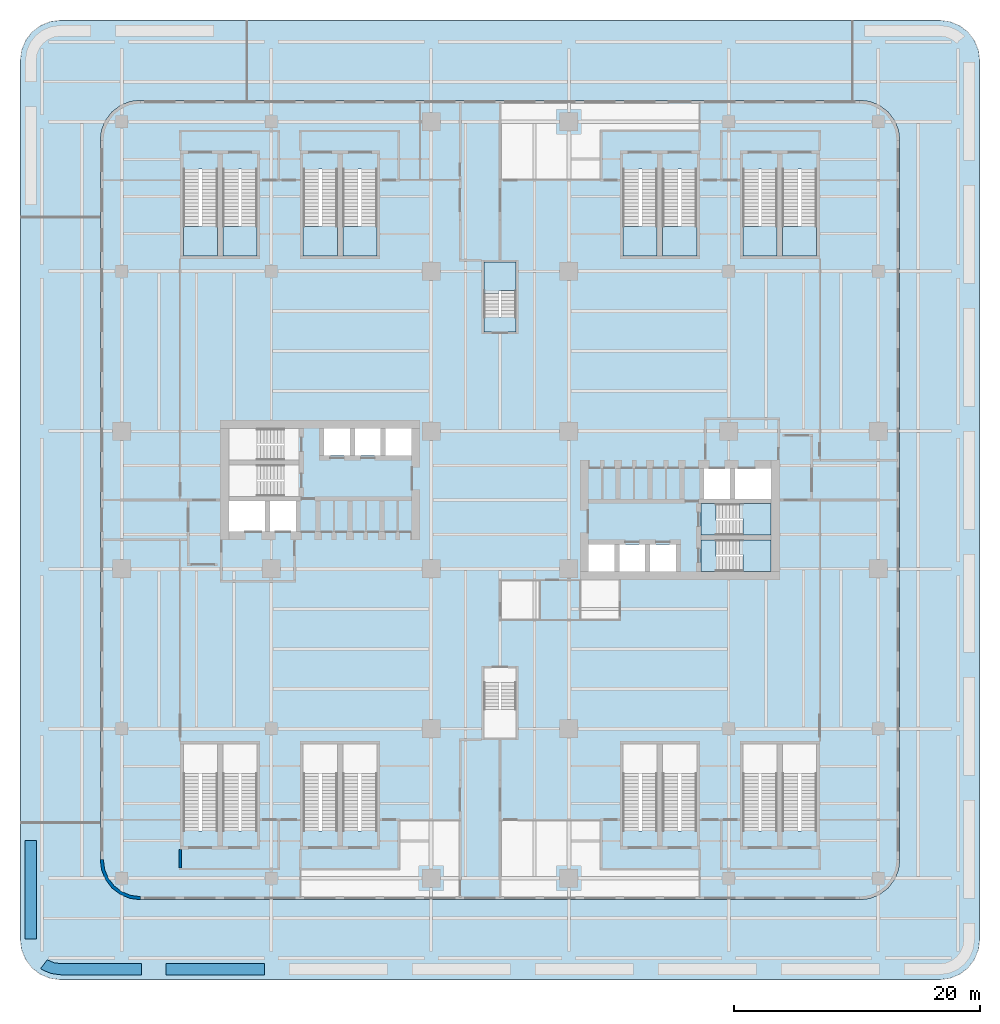
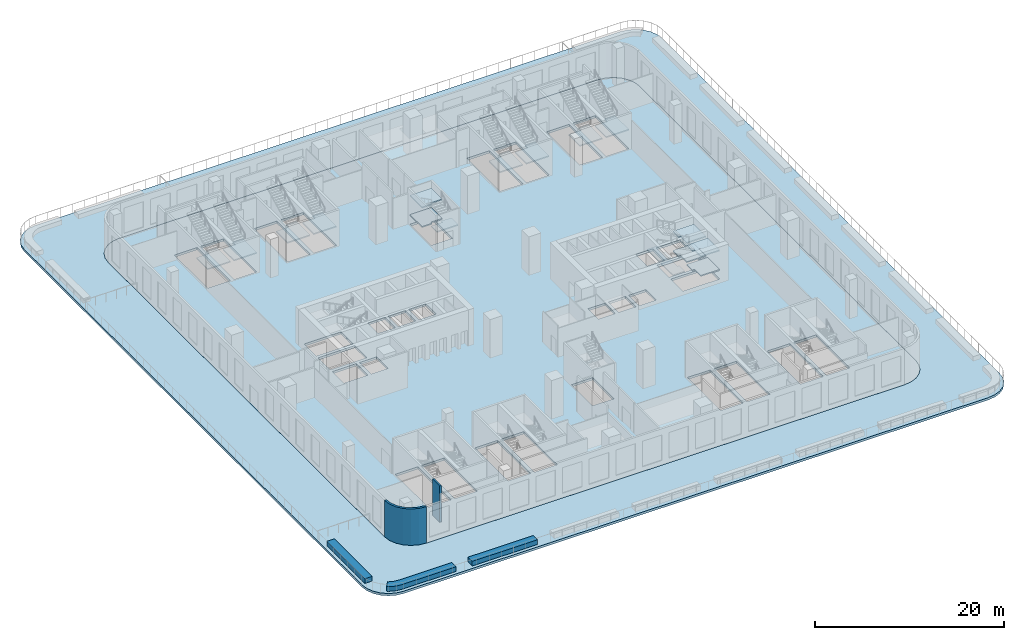
# One storey, part 4 of 17: 19 slabs, 5 walls, 11 elements without a shape of their own.
"""IFC4 building model written with IfcOpenShell, lengths in metres."""

from ifc_helpers import new_model, si_unit, direction, frame, frame_2d, origin, place, context, subcontext, project, spatial, polyline, rectangle, outline, extrude, source, transform, mapped, material, layer, layer_set, type_object, element, aggregate, save


model = new_model("IFC4")

# Units and contexts
model_context = context("Model", 3, precision=1e-05, world=origin(), true_north=direction((0.0, 1.0)))
body_context = subcontext(model_context, "Body", "Model", "MODEL_VIEW")
ifc_project = project(units=[si_unit("LENGTHUNIT", "METRE"), si_unit("AREAUNIT", "SQUARE_METRE"), si_unit("VOLUMEUNIT", "CUBIC_METRE"), si_unit("PLANEANGLEUNIT", "RADIAN"), si_unit("MASSUNIT", "GRAM", prefix="KILO")], contexts=[model_context])

# Site, building, storey
site_placement = place(None, origin())
site = spatial("IfcSite", under=ifc_project, at=site_placement, CompositionType="ELEMENT")
building_placement = place(site_placement, origin())
building = spatial("IfcBuilding", under=site, at=building_placement, Name="Trellis Farm Tower", CompositionType="ELEMENT")
storey_placement = place(building_placement, frame((0.0, 0.0, 24.0)))
storey = spatial("IfcBuildingStorey", under=building, at=storey_placement, Name="L04", CompositionType="ELEMENT", Elevation=24.0)

# Slabs
ifc_material_1 = material(Name="Concrete C40/50", Category="concrete")
ifc_layer_1 = layer(ifc_material_1, 0.300048828125)
ifc_layer_set_1 = layer_set([ifc_layer_1], Name="Terrace slab on composite deck 300")
slab_type_1 = type_object("IfcSlabType", Name="Terrace slab on composite deck 300", PredefinedType="FLOOR", material=ifc_layer_set_1)
placement_1 = place(storey_placement, frame((0.0, 0.0, -0.300048828125)))
element("IfcSlab", 1, at=placement_1, inside=storey, type_object=slab_type_1, Name="Terrace slab", PredefinedType="FLOOR", context=body_context, shape_type="SweptSolid", body=[
    extrude(outline(polyline([(38.5771484375, -37.344482421875), (38.54443359375, -37.401123046875), (38.068115234375, -38.02197265625), (38.02197265625, -38.068115234375), (37.401123046875, -38.54443359375), (37.344482421875, -38.5771484375), (36.62158203125, -38.876708984375), (36.55859375, -38.8935546875), (35.76611328125, -38.997802734375), (35.733642578125, -39.0), (-35.733642578125, -39.0), (-35.76611328125, -38.997802734375), (-36.55859375, -38.8935546875), (-36.62158203125, -38.876708984375), (-37.344482421875, -38.5771484375), (-37.401123046875, -38.54443359375), (-38.02197265625, -38.068115234375), (-38.068115234375, -38.02197265625), (-38.54443359375, -37.401123046875), (-38.5771484375, -37.344482421875), (-38.876708984375, -36.62158203125), (-38.8935546875, -36.55859375), (-38.997802734375, -35.76611328125), (-39.0, -35.733642578125), (-39.0, 35.733642578125), (-38.997802734375, 35.76611328125), (-38.8935546875, 36.55859375), (-38.876708984375, 36.62158203125), (-38.5771484375, 37.344482421875), (-38.54443359375, 37.401123046875), (-38.068115234375, 38.02197265625), (-38.02197265625, 38.068115234375), (-37.401123046875, 38.54443359375), (-37.344482421875, 38.5771484375), (-36.62158203125, 38.876708984375), (-36.55859375, 38.8935546875), (-35.76611328125, 38.997802734375), (-35.733642578125, 39.0), (35.733642578125, 39.0), (35.76611328125, 38.997802734375), (36.55859375, 38.8935546875), (36.62158203125, 38.876708984375), (37.344482421875, 38.5771484375), (37.401123046875, 38.54443359375), (38.02197265625, 38.068115234375), (38.068115234375, 38.02197265625), (38.54443359375, 37.401123046875), (38.5771484375, 37.344482421875), (38.876708984375, 36.62158203125), (38.8935546875, 36.55859375), (38.997802734375, 35.76611328125), (39.0, 35.733642578125), (39.0, -35.733642578125), (38.997802734375, -35.76611328125), (38.8935546875, -36.55859375), (38.876708984375, -36.62158203125), (38.5771484375, -37.344482421875)]), holes=[polyline([(32.389892578125, 30.09130859375), (32.065185546875, 30.875244140625), (31.548583984375, 31.548583984375), (30.875244140625, 32.065185546875), (30.09130859375, 32.389892578125), (29.25, 32.50048828125), (-29.25, 32.50048828125), (-30.09130859375, 32.389892578125), (-30.875244140625, 32.065185546875), (-31.548583984375, 31.548583984375), (-32.065185546875, 30.875244140625), (-32.389892578125, 30.09130859375), (-32.50048828125, 29.25), (-32.50048828125, -29.25), (-32.389892578125, -30.09130859375), (-32.065185546875, -30.875244140625), (-31.548583984375, -31.548583984375), (-30.875244140625, -32.065185546875), (-30.09130859375, -32.389892578125), (-29.25, -32.50048828125), (29.25, -32.50048828125), (30.09130859375, -32.389892578125), (30.875244140625, -32.065185546875), (31.548583984375, -31.548583984375), (32.065185546875, -30.875244140625), (32.389892578125, -30.09130859375), (32.50048828125, -29.25), (32.50048828125, 29.25), (32.389892578125, 30.09130859375)])]), origin(), (0.0, 0.0, 1.0), 0.300048828125),
])
ifc_layer_2 = layer(ifc_material_1, 0.300048828125)
ifc_layer_set_2 = layer_set([ifc_layer_2], Name="Composite deck floor slab 300")
slab_type_2 = type_object("IfcSlabType", Name="Composite deck floor slab 300", PredefinedType="FLOOR", material=ifc_layer_set_2)
shared_shape_1 = source(origin(), body_context, "Body", "SweptSolid", [
    extrude(outline(polyline([(32.389404296875, -30.09130859375), (32.064697265625, -30.875), (31.548095703125, -31.548095703125), (30.875, -32.064697265625), (30.09130859375, -32.389404296875), (29.25, -32.5), (-29.25, -32.5), (-30.09130859375, -32.389404296875), (-30.875, -32.064697265625), (-31.548095703125, -31.548095703125), (-32.064697265625, -30.875), (-32.389404296875, -30.09130859375), (-32.5, -29.25), (-32.5, 29.25), (-32.389404296875, 30.09130859375), (-32.064697265625, 30.875), (-31.548095703125, 31.548095703125), (-30.875, 32.064697265625), (-30.09130859375, 32.389404296875), (-29.25, 32.5), (29.25, 32.5), (30.09130859375, 32.389404296875), (30.875, 32.064697265625), (31.548095703125, 31.548095703125), (32.064697265625, 30.875), (32.389404296875, 30.09130859375), (32.5, 29.25), (32.5, -29.25), (32.389404296875, -30.09130859375)]), holes=[polyline([(-24.219970703125, -26.89990234375), (-24.219970703125, -26.887939453125), (-22.969970703125, -26.887939453125), (-22.969970703125, -19.85009765625), (-25.75, -19.85009765625), (-25.75, -26.889892578125), (-24.5, -26.889892578125), (-24.5, -26.89990234375), (-24.219970703125, -26.89990234375)]), polyline([(-21.0, -26.89990234375), (-21.0, -26.887939453125), (-19.75, -26.887939453125), (-19.75, -19.85009765625), (-22.530029296875, -19.85009765625), (-22.530029296875, -26.889892578125), (-21.280029296875, -26.889892578125), (-21.280029296875, -26.89990234375), (-21.0, -26.89990234375)]), polyline([(-14.469970703125, -26.89990234375), (-14.469970703125, -26.887939453125), (-13.219970703125, -26.887939453125), (-13.219970703125, -19.85009765625), (-16.0, -19.85009765625), (-16.0, -26.889892578125), (-14.75, -26.889892578125), (-14.75, -26.89990234375), (-14.469970703125, -26.89990234375)]), polyline([(-11.25, -26.89990234375), (-11.25, -26.887939453125), (-10.0, -26.887939453125), (-10.0, -19.85009765625), (-12.780029296875, -19.85009765625), (-12.780029296875, -26.889892578125), (-11.530029296875, -26.889892578125), (-11.530029296875, -26.89990234375), (-11.25, -26.89990234375)]), polyline([(-0.10009765625, -14.85009765625), (-0.10009765625, -14.862060546875), (-1.300048828125, -14.862060546875), (-1.300048828125, -19.35009765625), (1.300048828125, -19.35009765625), (1.300048828125, -14.860107421875), (0.10009765625, -14.860107421875), (0.10009765625, -14.85009765625), (-0.10009765625, -14.85009765625)]), polyline([(-19.10009765625, -0.10009765625), (-22.050048828125, -0.10009765625), (-22.050048828125, -2.550048828125), (-19.10009765625, -2.550048828125), (-19.10009765625, -0.10009765625)]), polyline([(-16.60009765625, -0.10009765625), (-18.699951171875, -0.10009765625), (-18.699951171875, -2.550048828125), (-16.60009765625, -2.550048828125), (-16.60009765625, -0.10009765625)]), polyline([(-17.550048828125, 1.64990234375), (-17.56201171875, 1.64990234375), (-17.56201171875, 2.85009765625), (-22.050048828125, 2.85009765625), (-22.050048828125, 0.300048828125), (-17.56005859375, 0.300048828125), (-17.56005859375, 1.5), (-17.550048828125, 1.5), (-17.550048828125, 1.64990234375)]), polyline([(-17.550048828125, 4.60009765625), (-17.56201171875, 4.60009765625), (-17.56201171875, 5.800048828125), (-22.050048828125, 5.800048828125), (-22.050048828125, 3.25), (-17.56005859375, 3.25), (-17.56005859375, 4.449951171875), (-17.550048828125, 4.449951171875), (-17.550048828125, 4.60009765625)]), polyline([(-12.199951171875, 5.800048828125), (-14.300048828125, 5.800048828125), (-14.300048828125, 3.60009765625), (-12.199951171875, 3.60009765625), (-12.199951171875, 5.800048828125)]), polyline([(-9.699951171875, 5.800048828125), (-11.800048828125, 5.800048828125), (-11.800048828125, 3.60009765625), (-9.699951171875, 3.60009765625), (-9.699951171875, 5.800048828125)]), polyline([(-7.199951171875, 5.800048828125), (-9.300048828125, 5.800048828125), (-9.300048828125, 3.60009765625), (-7.199951171875, 3.60009765625), (-7.199951171875, 5.800048828125)]), polyline([(-24.5, 26.89990234375), (-24.5, 26.887939453125), (-25.75, 26.887939453125), (-25.75, 19.85009765625), (-22.969970703125, 19.85009765625), (-22.969970703125, 26.889892578125), (-24.219970703125, 26.889892578125), (-24.219970703125, 26.89990234375), (-24.5, 26.89990234375)]), polyline([(-21.280029296875, 26.89990234375), (-21.280029296875, 26.887939453125), (-22.530029296875, 26.887939453125), (-22.530029296875, 19.85009765625), (-19.75, 19.85009765625), (-19.75, 26.889892578125), (-21.0, 26.889892578125), (-21.0, 26.89990234375), (-21.280029296875, 26.89990234375)]), polyline([(-14.75, 26.89990234375), (-14.75, 26.887939453125), (-16.0, 26.887939453125), (-16.0, 19.85009765625), (-13.219970703125, 19.85009765625), (-13.219970703125, 26.889892578125), (-14.469970703125, 26.889892578125), (-14.469970703125, 26.89990234375), (-14.75, 26.89990234375)]), polyline([(-11.530029296875, 26.89990234375), (-11.530029296875, 26.887939453125), (-12.780029296875, 26.887939453125), (-12.780029296875, 19.85009765625), (-10.0, 19.85009765625), (-10.0, 26.889892578125), (-11.25, 26.889892578125), (-11.25, 26.89990234375), (-11.530029296875, 26.89990234375)]), polyline([(11.530029296875, -26.89990234375), (11.530029296875, -26.887939453125), (12.780029296875, -26.887939453125), (12.780029296875, -19.85009765625), (10.0, -19.85009765625), (10.0, -26.889892578125), (11.25, -26.889892578125), (11.25, -26.89990234375), (11.530029296875, -26.89990234375)]), polyline([(14.75, -26.89990234375), (14.75, -26.887939453125), (16.0, -26.887939453125), (16.0, -19.85009765625), (13.219970703125, -19.85009765625), (13.219970703125, -26.889892578125), (14.469970703125, -26.889892578125), (14.469970703125, -26.89990234375), (14.75, -26.89990234375)]), polyline([(21.280029296875, -26.89990234375), (21.280029296875, -26.887939453125), (22.530029296875, -26.887939453125), (22.530029296875, -19.85009765625), (19.75, -19.85009765625), (19.75, -26.889892578125), (21.0, -26.889892578125), (21.0, -26.89990234375), (21.280029296875, -26.89990234375)]), polyline([(24.5, -26.89990234375), (24.5, -26.887939453125), (25.75, -26.887939453125), (25.75, -19.85009765625), (22.969970703125, -19.85009765625), (22.969970703125, -26.889892578125), (24.219970703125, -26.889892578125), (24.219970703125, -26.89990234375), (24.5, -26.89990234375)]), polyline([(7.199951171875, -5.800048828125), (9.300048828125, -5.800048828125), (9.300048828125, -3.60009765625), (7.199951171875, -3.60009765625), (7.199951171875, -5.800048828125)]), polyline([(9.699951171875, -5.800048828125), (11.800048828125, -5.800048828125), (11.800048828125, -3.60009765625), (9.699951171875, -3.60009765625), (9.699951171875, -5.800048828125)]), polyline([(12.199951171875, -5.800048828125), (14.300048828125, -5.800048828125), (14.300048828125, -3.60009765625), (12.199951171875, -3.60009765625), (12.199951171875, -5.800048828125)]), polyline([(17.550048828125, -4.60009765625), (17.56201171875, -4.60009765625), (17.56201171875, -5.800048828125), (22.050048828125, -5.800048828125), (22.050048828125, -3.25), (17.56005859375, -3.25), (17.56005859375, -4.449951171875), (17.550048828125, -4.449951171875), (17.550048828125, -4.60009765625)]), polyline([(17.550048828125, -1.64990234375), (17.56201171875, -1.64990234375), (17.56201171875, -2.85009765625), (22.050048828125, -2.85009765625), (22.050048828125, -0.300048828125), (17.56005859375, -0.300048828125), (17.56005859375, -1.5), (17.550048828125, -1.5), (17.550048828125, -1.64990234375)]), polyline([(16.60009765625, 0.10009765625), (18.699951171875, 0.10009765625), (18.699951171875, 2.550048828125), (16.60009765625, 2.550048828125), (16.60009765625, 0.10009765625)]), polyline([(19.10009765625, 0.10009765625), (22.050048828125, 0.10009765625), (22.050048828125, 2.550048828125), (19.10009765625, 2.550048828125), (19.10009765625, 0.10009765625)]), polyline([(0.10009765625, 14.85009765625), (0.10009765625, 14.862060546875), (1.300048828125, 14.862060546875), (1.300048828125, 19.35009765625), (-1.300048828125, 19.35009765625), (-1.300048828125, 14.860107421875), (-0.10009765625, 14.860107421875), (-0.10009765625, 14.85009765625), (0.10009765625, 14.85009765625)]), polyline([(11.25, 26.89990234375), (11.25, 26.887939453125), (10.0, 26.887939453125), (10.0, 19.85009765625), (12.780029296875, 19.85009765625), (12.780029296875, 26.889892578125), (11.530029296875, 26.889892578125), (11.530029296875, 26.89990234375), (11.25, 26.89990234375)]), polyline([(14.469970703125, 26.89990234375), (14.469970703125, 26.887939453125), (13.219970703125, 26.887939453125), (13.219970703125, 19.85009765625), (16.0, 19.85009765625), (16.0, 26.889892578125), (14.75, 26.889892578125), (14.75, 26.89990234375), (14.469970703125, 26.89990234375)]), polyline([(21.0, 26.89990234375), (21.0, 26.887939453125), (19.75, 26.887939453125), (19.75, 19.85009765625), (22.530029296875, 19.85009765625), (22.530029296875, 26.889892578125), (21.280029296875, 26.889892578125), (21.280029296875, 26.89990234375), (21.0, 26.89990234375)]), polyline([(24.219970703125, 26.89990234375), (24.219970703125, 26.887939453125), (22.969970703125, 26.887939453125), (22.969970703125, 19.85009765625), (25.75, 19.85009765625), (25.75, 26.889892578125), (24.5, 26.889892578125), (24.5, 26.89990234375), (24.219970703125, 26.89990234375)])]), origin(), (0.0, 0.0, 1.0), 0.300048828125),
])
element("IfcSlab", 2, at=placement_1, inside=storey, type_object=slab_type_2, Name="Floor slab", PredefinedType="FLOOR", context=body_context, shape_type="MappedRepresentation", body=[
    mapped(shared_shape_1, transform((0.0, 0.0, 0.0))),
])

# Stair, slabs
ifc_material_2 = material(Name="Concrete C50/60", Category="concrete")
stair_type_1 = type_object("IfcStairType", Name="CORE EXIT STAIR 36 RISERS 139 MM", PredefinedType="HALF_TURN_STAIR", material=ifc_material_2)
placement_2 = place(storey_placement, origin())
stair_1 = element("IfcStair", 3, at=placement_2, inside=storey, type_object=stair_type_1, Name="Exit stair N", PredefinedType="HALF_TURN_STAIR")
ifc_layer_3 = layer(ifc_material_2, 0.14990234375)
ifc_layer_set_3 = layer_set([ifc_layer_3], Name="CORE STAIR LANDING 150 CONCRETE C50/60")
slab_type_3 = type_object("IfcSlabType", Name="CORE STAIR LANDING 150 CONCRETE C50/60", PredefinedType="LANDING", material=ifc_layer_set_3)
shared_shape_2 = source(origin(), body_context, "Body", "SweptSolid", [
    extrude(outline(polyline([(-0.10009765625, 16.79052734375), (-1.300048828125, 16.79052734375), (-1.300048828125, 17.050048828125), (-1.300048828125, 19.35009765625), (1.300048828125, 19.35009765625), (1.300048828125, 17.050048828125), (1.300048828125, 17.0400390625), (0.10009765625, 17.0400390625), (0.10009765625, 17.050048828125), (-0.10009765625, 17.050048828125), (-0.10009765625, 16.79052734375)])), origin(), (0.0, 0.0, 1.0), 0.14990234375),
])
placement_3 = place(storey_placement, frame((0.0, 0.0, 1.10009765625)))
slab_3 = element("IfcSlab", 4, at=placement_3, type_object=slab_type_3, Name="STN landing 1", PredefinedType="LANDING", context=body_context, shape_type="MappedRepresentation", body=[
    mapped(shared_shape_2, transform((0.0, 0.0, 0.0))),
])
placement_4 = place(storey_placement, frame((0.0, 0.0, 3.60009765625)))
slab_4 = element("IfcSlab", 5, at=placement_4, type_object=slab_type_3, Name="STN landing 3", PredefinedType="LANDING", context=body_context, shape_type="MappedRepresentation", body=[
    mapped(shared_shape_2, transform((0.0, 0.0, 0.0))),
])
shared_shape_3 = source(origin(), body_context, "Body", "SweptSolid", [
    extrude(outline(polyline([(1.300048828125, 13.64990234375), (-1.300048828125, 13.64990234375), (-1.300048828125, 14.85009765625), (-1.300048828125, 14.860107421875), (-0.10009765625, 14.860107421875), (-0.10009765625, 14.85009765625), (0.10009765625, 14.85009765625), (0.10009765625, 15.109375), (1.300048828125, 15.109375), (1.300048828125, 14.85009765625), (1.300048828125, 13.64990234375)])), origin(), (0.0, 0.0, 1.0), 0.14990234375),
])
placement_5 = place(storey_placement, frame((0.0, 0.0, 2.35009765625)))
slab_5 = element("IfcSlab", 6, at=placement_5, type_object=slab_type_3, Name="STN landing 2", PredefinedType="LANDING", context=body_context, shape_type="MappedRepresentation", body=[
    mapped(shared_shape_3, transform((0.0, 0.0, 0.0))),
])
aggregate(stair_1, [slab_3, slab_5, slab_4])

stair_2 = element("IfcStair", 7, at=placement_2, inside=storey, type_object=stair_type_1, Name="Exit stair E1", PredefinedType="HALF_TURN_STAIR")
shared_shape_4 = source(origin(), body_context, "Body", "SweptSolid", [
    extrude(outline(polyline([(19.739990234375, -5.800048828125), (19.739990234375, -4.60009765625), (19.75, -4.60009765625), (19.75, -4.449951171875), (19.49072265625, -4.449951171875), (19.49072265625, -3.25), (19.75, -3.25), (22.050048828125, -3.25), (22.050048828125, -5.800048828125), (19.75, -5.800048828125), (19.739990234375, -5.800048828125)])), origin(), (0.0, 0.0, 1.0), 0.14990234375),
])
slab_6 = element("IfcSlab", 8, at=placement_3, type_object=slab_type_3, Name="STE1 landing 1", PredefinedType="LANDING", context=body_context, shape_type="MappedRepresentation", body=[
    mapped(shared_shape_4, transform((0.0, 0.0, 0.0))),
])
slab_7 = element("IfcSlab", 9, at=placement_4, type_object=slab_type_3, Name="STE1 landing 3", PredefinedType="LANDING", context=body_context, shape_type="MappedRepresentation", body=[
    mapped(shared_shape_4, transform((0.0, 0.0, 0.0))),
])
shared_shape_5 = source(origin(), body_context, "Body", "SweptSolid", [
    extrude(outline(polyline([(17.809326171875, -4.60009765625), (17.809326171875, -5.800048828125), (17.550048828125, -5.800048828125), (16.35009765625, -5.800048828125), (16.35009765625, -3.25), (17.550048828125, -3.25), (17.56005859375, -3.25), (17.56005859375, -4.449951171875), (17.550048828125, -4.449951171875), (17.550048828125, -4.60009765625), (17.809326171875, -4.60009765625)])), origin(), (0.0, 0.0, 1.0), 0.14990234375),
])
slab_8 = element("IfcSlab", 10, at=placement_5, type_object=slab_type_3, Name="STE1 landing 2", PredefinedType="LANDING", context=body_context, shape_type="MappedRepresentation", body=[
    mapped(shared_shape_5, transform((0.0, 0.0, 0.0))),
])
aggregate(stair_2, [slab_6, slab_8, slab_7])

stair_3 = element("IfcStair", 11, at=placement_2, inside=storey, type_object=stair_type_1, Name="Exit stair E2", PredefinedType="HALF_TURN_STAIR")
shared_shape_6 = source(origin(), body_context, "Body", "SweptSolid", [
    extrude(outline(polyline([(19.739990234375, -2.85009765625), (19.739990234375, -1.64990234375), (19.75, -1.64990234375), (19.75, -1.5), (19.49072265625, -1.5), (19.49072265625, -0.300048828125), (19.75, -0.300048828125), (22.050048828125, -0.300048828125), (22.050048828125, -2.85009765625), (19.75, -2.85009765625), (19.739990234375, -2.85009765625)])), origin(), (0.0, 0.0, 1.0), 0.14990234375),
])
slab_9 = element("IfcSlab", 12, at=placement_3, type_object=slab_type_3, Name="STE2 landing 1", PredefinedType="LANDING", context=body_context, shape_type="MappedRepresentation", body=[
    mapped(shared_shape_6, transform((0.0, 0.0, 0.0))),
])
slab_10 = element("IfcSlab", 13, at=placement_4, type_object=slab_type_3, Name="STE2 landing 3", PredefinedType="LANDING", context=body_context, shape_type="MappedRepresentation", body=[
    mapped(shared_shape_6, transform((0.0, 0.0, 0.0))),
])
shared_shape_7 = source(origin(), body_context, "Body", "SweptSolid", [
    extrude(outline(polyline([(17.809326171875, -1.64990234375), (17.809326171875, -2.85009765625), (17.550048828125, -2.85009765625), (16.35009765625, -2.85009765625), (16.35009765625, -0.300048828125), (17.550048828125, -0.300048828125), (17.56005859375, -0.300048828125), (17.56005859375, -1.5), (17.550048828125, -1.5), (17.550048828125, -1.64990234375), (17.809326171875, -1.64990234375)])), origin(), (0.0, 0.0, 1.0), 0.14990234375),
])
slab_11 = element("IfcSlab", 14, at=placement_5, type_object=slab_type_3, Name="STE2 landing 2", PredefinedType="LANDING", context=body_context, shape_type="MappedRepresentation", body=[
    mapped(shared_shape_7, transform((0.0, 0.0, 0.0))),
])
aggregate(stair_3, [slab_9, slab_11, slab_10])

# Stair, slab
stair_type_2 = type_object("IfcStairType", Name="PODIUM EXIT STAIR 36 RISERS 139 MM 1250 WIDE", PredefinedType="HALF_TURN_STAIR", material=ifc_material_2)
stair_4 = element("IfcStair", 15, at=placement_2, inside=storey, type_object=stair_type_2, Name="Podium exit stair STP1A", PredefinedType="HALF_TURN_STAIR")
shared_shape_8 = source(origin(), body_context, "Body", "SweptSolid", [
    extrude(outline(polyline([(-22.969970703125, 19.85009765625), (-25.75, 19.85009765625), (-25.75, 22.22509765625), (-25.75, 22.235107421875), (-24.5, 22.235107421875), (-24.5, 22.22509765625), (-24.219970703125, 22.22509765625), (-24.219970703125, 22.793701171875), (-22.969970703125, 22.793701171875), (-22.969970703125, 22.22509765625), (-22.969970703125, 19.85009765625)])), origin(), (0.0, 0.0, 1.0), 0.14990234375),
])
slab_12 = element("IfcSlab", 16, at=placement_5, type_object=slab_type_3, Name="STP1A landing 1", PredefinedType="LANDING", context=body_context, shape_type="MappedRepresentation", body=[
    mapped(shared_shape_8, transform((0.0, 0.0, 0.0))),
])
aggregate(stair_4, [slab_12])

stair_5 = element("IfcStair", 17, at=placement_2, inside=storey, type_object=stair_type_2, Name="Podium exit stair STP1B", PredefinedType="HALF_TURN_STAIR")
shared_shape_9 = source(origin(), body_context, "Body", "SweptSolid", [
    extrude(outline(polyline([(-19.75, 19.85009765625), (-22.530029296875, 19.85009765625), (-22.530029296875, 22.22509765625), (-22.530029296875, 22.235107421875), (-21.280029296875, 22.235107421875), (-21.280029296875, 22.22509765625), (-21.0, 22.22509765625), (-21.0, 22.793701171875), (-19.75, 22.793701171875), (-19.75, 22.22509765625), (-19.75, 19.85009765625)])), origin(), (0.0, 0.0, 1.0), 0.14990234375),
])
slab_13 = element("IfcSlab", 18, at=placement_5, type_object=slab_type_3, Name="STP1B landing 1", PredefinedType="LANDING", context=body_context, shape_type="MappedRepresentation", body=[
    mapped(shared_shape_9, transform((0.0, 0.0, 0.0))),
])
aggregate(stair_5, [slab_13])

stair_6 = element("IfcStair", 19, at=placement_2, inside=storey, type_object=stair_type_2, Name="Podium exit stair STP2A", PredefinedType="HALF_TURN_STAIR")
shared_shape_10 = source(origin(), body_context, "Body", "SweptSolid", [
    extrude(outline(polyline([(-13.219970703125, 19.85009765625), (-16.0, 19.85009765625), (-16.0, 22.22509765625), (-16.0, 22.235107421875), (-14.75, 22.235107421875), (-14.75, 22.22509765625), (-14.469970703125, 22.22509765625), (-14.469970703125, 22.793701171875), (-13.219970703125, 22.793701171875), (-13.219970703125, 22.22509765625), (-13.219970703125, 19.85009765625)])), origin(), (0.0, 0.0, 1.0), 0.14990234375),
])
slab_14 = element("IfcSlab", 20, at=placement_5, type_object=slab_type_3, Name="STP2A landing 1", PredefinedType="LANDING", context=body_context, shape_type="MappedRepresentation", body=[
    mapped(shared_shape_10, transform((0.0, 0.0, 0.0))),
])
aggregate(stair_6, [slab_14])

stair_7 = element("IfcStair", 21, at=placement_2, inside=storey, type_object=stair_type_2, Name="Podium exit stair STP2B", PredefinedType="HALF_TURN_STAIR")
shared_shape_11 = source(origin(), body_context, "Body", "SweptSolid", [
    extrude(outline(polyline([(-10.0, 19.85009765625), (-12.780029296875, 19.85009765625), (-12.780029296875, 22.22509765625), (-12.780029296875, 22.235107421875), (-11.530029296875, 22.235107421875), (-11.530029296875, 22.22509765625), (-11.25, 22.22509765625), (-11.25, 22.793701171875), (-10.0, 22.793701171875), (-10.0, 22.22509765625), (-10.0, 19.85009765625)])), origin(), (0.0, 0.0, 1.0), 0.14990234375),
])
slab_15 = element("IfcSlab", 22, at=placement_5, type_object=slab_type_3, Name="STP2B landing 1", PredefinedType="LANDING", context=body_context, shape_type="MappedRepresentation", body=[
    mapped(shared_shape_11, transform((0.0, 0.0, 0.0))),
])
aggregate(stair_7, [slab_15])

stair_8 = element("IfcStair", 23, at=placement_2, inside=storey, type_object=stair_type_2, Name="Podium exit stair STP3A", PredefinedType="HALF_TURN_STAIR")
shared_shape_12 = source(origin(), body_context, "Body", "SweptSolid", [
    extrude(outline(polyline([(12.780029296875, 19.85009765625), (10.0, 19.85009765625), (10.0, 22.22509765625), (10.0, 22.235107421875), (11.25, 22.235107421875), (11.25, 22.22509765625), (11.530029296875, 22.22509765625), (11.530029296875, 22.793701171875), (12.780029296875, 22.793701171875), (12.780029296875, 22.22509765625), (12.780029296875, 19.85009765625)])), origin(), (0.0, 0.0, 1.0), 0.14990234375),
])
slab_16 = element("IfcSlab", 24, at=placement_5, type_object=slab_type_3, Name="STP3A landing 1", PredefinedType="LANDING", context=body_context, shape_type="MappedRepresentation", body=[
    mapped(shared_shape_12, transform((0.0, 0.0, 0.0))),
])
aggregate(stair_8, [slab_16])

stair_9 = element("IfcStair", 25, at=placement_2, inside=storey, type_object=stair_type_2, Name="Podium exit stair STP3B", PredefinedType="HALF_TURN_STAIR")
shared_shape_13 = source(origin(), body_context, "Body", "SweptSolid", [
    extrude(outline(polyline([(16.0, 19.85009765625), (13.219970703125, 19.85009765625), (13.219970703125, 22.22509765625), (13.219970703125, 22.235107421875), (14.469970703125, 22.235107421875), (14.469970703125, 22.22509765625), (14.75, 22.22509765625), (14.75, 22.793701171875), (16.0, 22.793701171875), (16.0, 22.22509765625), (16.0, 19.85009765625)])), origin(), (0.0, 0.0, 1.0), 0.14990234375),
])
slab_17 = element("IfcSlab", 26, at=placement_5, type_object=slab_type_3, Name="STP3B landing 1", PredefinedType="LANDING", context=body_context, shape_type="MappedRepresentation", body=[
    mapped(shared_shape_13, transform((0.0, 0.0, 0.0))),
])
aggregate(stair_9, [slab_17])

stair_10 = element("IfcStair", 27, at=placement_2, inside=storey, type_object=stair_type_2, Name="Podium exit stair STP4A", PredefinedType="HALF_TURN_STAIR")
shared_shape_14 = source(origin(), body_context, "Body", "SweptSolid", [
    extrude(outline(polyline([(22.530029296875, 19.85009765625), (19.75, 19.85009765625), (19.75, 22.22509765625), (19.75, 22.235107421875), (21.0, 22.235107421875), (21.0, 22.22509765625), (21.280029296875, 22.22509765625), (21.280029296875, 22.793701171875), (22.530029296875, 22.793701171875), (22.530029296875, 22.22509765625), (22.530029296875, 19.85009765625)])), origin(), (0.0, 0.0, 1.0), 0.14990234375),
])
slab_18 = element("IfcSlab", 28, at=placement_5, type_object=slab_type_3, Name="STP4A landing 1", PredefinedType="LANDING", context=body_context, shape_type="MappedRepresentation", body=[
    mapped(shared_shape_14, transform((0.0, 0.0, 0.0))),
])
aggregate(stair_10, [slab_18])

stair_11 = element("IfcStair", 29, at=placement_2, inside=storey, type_object=stair_type_2, Name="Podium exit stair STP4B", PredefinedType="HALF_TURN_STAIR")
shared_shape_15 = source(origin(), body_context, "Body", "SweptSolid", [
    extrude(outline(polyline([(25.75, 19.85009765625), (22.969970703125, 19.85009765625), (22.969970703125, 22.22509765625), (22.969970703125, 22.235107421875), (24.219970703125, 22.235107421875), (24.219970703125, 22.22509765625), (24.5, 22.22509765625), (24.5, 22.793701171875), (25.75, 22.793701171875), (25.75, 22.22509765625), (25.75, 19.85009765625)])), origin(), (0.0, 0.0, 1.0), 0.14990234375),
])
slab_19 = element("IfcSlab", 30, at=placement_5, type_object=slab_type_3, Name="STP4B landing 1", PredefinedType="LANDING", context=body_context, shape_type="MappedRepresentation", body=[
    mapped(shared_shape_15, transform((0.0, 0.0, 0.0))),
])
aggregate(stair_11, [slab_19])

# Walls
ifc_material_3 = material(Name="Sandstone faced insulated wall", Category="masonry")
ifc_layer_4 = layer(ifc_material_3, 0.25)
ifc_layer_set_4 = layer_set([ifc_layer_4], Name="STONE CLAD EXTERNAL WALL 250")
wall_type_1 = type_object("IfcWallType", Name="STONE CLAD EXTERNAL WALL 250", PredefinedType="SOLIDWALL", material=ifc_layer_set_4)
element("IfcWall", 31, at=placement_2, inside=storey, type_object=wall_type_1, Name="EW5 C03", PredefinedType="SOLIDWALL", context=body_context, shape_type="SweptSolid", body=[
    extrude(outline(polyline([(-32.5, -29.25), (-32.38916015625, -30.091064453125), (-32.064697265625, -30.875), (-31.548095703125, -31.548095703125), (-30.875, -32.064697265625), (-30.091064453125, -32.38916015625), (-29.25, -32.5), (-29.233642578125, -32.25), (-30.02587890625, -32.145751953125), (-30.7490234375, -31.84619140625), (-31.369873046875, -31.369873046875), (-31.84619140625, -30.7490234375), (-32.145751953125, -30.02587890625), (-32.25, -29.233642578125), (-32.5, -29.25)])), origin(), (0.0, 0.0, 1.0), 4.699951171875),
])
ifc_material_4 = material(Name="Sandstone faced masonry planter", Category="masonry")
ifc_layer_5 = layer(ifc_material_4, 0.89990234375)
ifc_layer_set_5 = layer_set([ifc_layer_5], Name="TERRACE PLANTER BED 900")
wall_type_2 = type_object("IfcWallType", Name="TERRACE PLANTER BED 900", PredefinedType="USERDEFINED", material=ifc_layer_set_5)
element("IfcWall", 32, at=placement_2, inside=storey, type_object=wall_type_2, Name="PLANTER bed", ObjectType="PLANTER", PredefinedType="USERDEFINED", context=body_context, shape_type="SweptSolid", body=[
    extrude(outline(polyline([(-38.60009765625, -27.6943359375), (-37.699951171875, -27.6943359375), (-37.699951171875, -35.6943359375), (-38.60009765625, -35.6943359375), (-38.60009765625, -27.6943359375)])), origin(), (0.0, 0.0, 1.0), 0.60009765625),
])
element("IfcWall", 33, at=placement_2, inside=storey, type_object=wall_type_2, Name="PLANTER bed", ObjectType="PLANTER", PredefinedType="USERDEFINED", context=body_context, shape_type="SweptSolid", body=[
    extrude(outline(polyline([(-36.48681640625, -38.49951171875), (-37.17333984375, -38.215087890625), (-37.341796875, -38.0859375), (-36.793701171875, -37.371826171875), (-36.719482421875, -37.428955078125), (-36.251708984375, -37.622802734375), (-35.664794921875, -37.699951171875), (-29.152587890625, -37.699951171875), (-29.152587890625, -38.60009765625), (-35.723876953125, -38.60009765625), (-36.48681640625, -38.49951171875)])), origin(), (0.0, 0.0, 1.0), 0.60009765625),
])
element("IfcWall", 34, at=placement_2, inside=storey, type_object=wall_type_2, Name="PLANTER bed", ObjectType="PLANTER", PredefinedType="USERDEFINED", context=body_context, shape_type="SweptSolid", body=[
    extrude(outline(polyline([(-27.152587890625, -37.699951171875), (-19.152587890625, -37.699951171875), (-19.152587890625, -38.60009765625), (-27.152587890625, -38.60009765625), (-27.152587890625, -37.699951171875)])), origin(), (0.0, 0.0, 1.0), 0.60009765625),
])
ifc_material_5 = material(Name="Lightweight blockwork, plastered", Category="masonry")
ifc_layer_6 = layer(ifc_material_5, 0.199951171875)
ifc_layer_set_6 = layer_set([ifc_layer_6], Name="BLOCK WALL 200 EI 120")
wall_type_3 = type_object("IfcWallType", Name="BLOCK WALL 200 EI 120", PredefinedType="PARTITIONING", material=ifc_layer_set_6)
shared_shape_16 = source(origin(), body_context, "Body", "SweptSolid", [
    extrude(rectangle(XDim=1.5, YDim=0.199951171875, at=frame_2d((0.75, 0.0))), origin(), (0.0, 0.0, 1.0), 4.699951171875),
])
wall_5_placement = place(storey_placement, frame((-26.0, -29.89990234375, 0.0), z_axis=(0.0, 0.0, 1.0), x_axis=(0.0, 1.0, 0.0)))
element("IfcWall", 35, at=wall_5_placement, inside=storey, type_object=wall_type_3, Name="Partition PW3", PredefinedType="PARTITIONING", context=body_context, shape_type="MappedRepresentation", body=[
    mapped(shared_shape_16, transform((0.0, 0.0, 0.0))),
])

save(model, "model.ifc")
